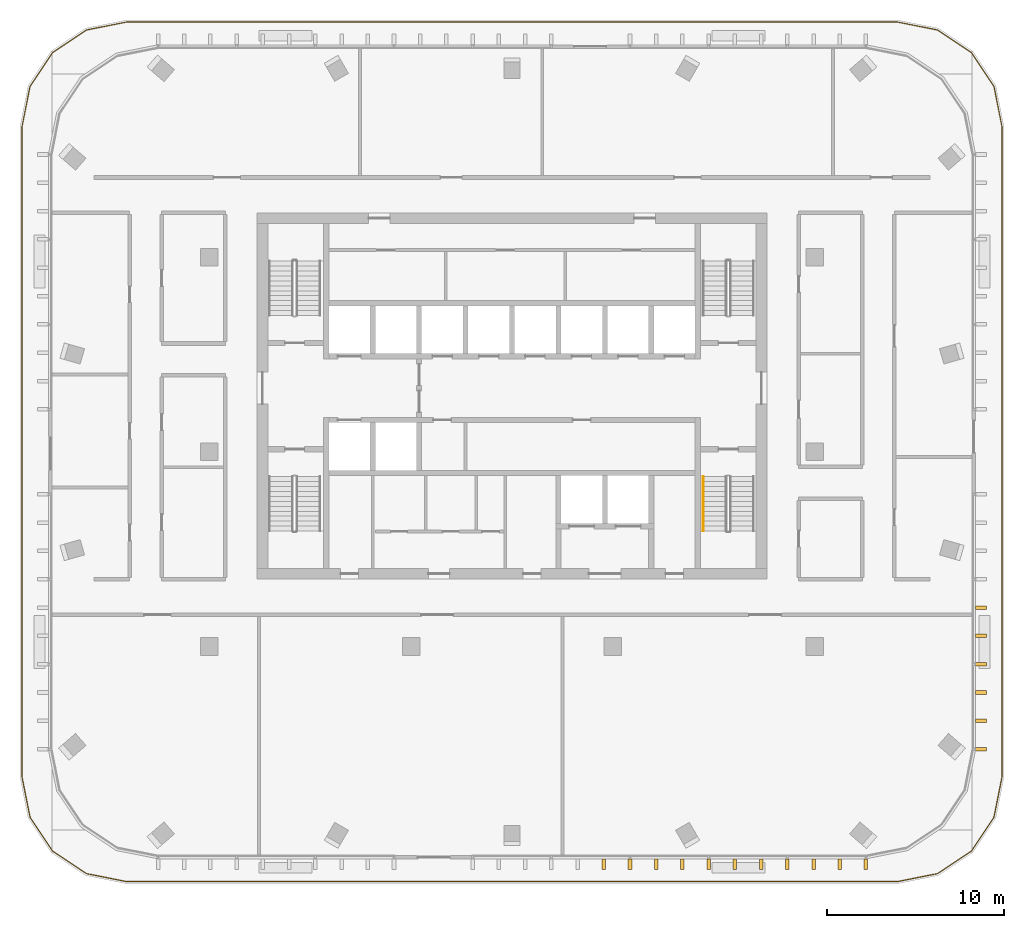
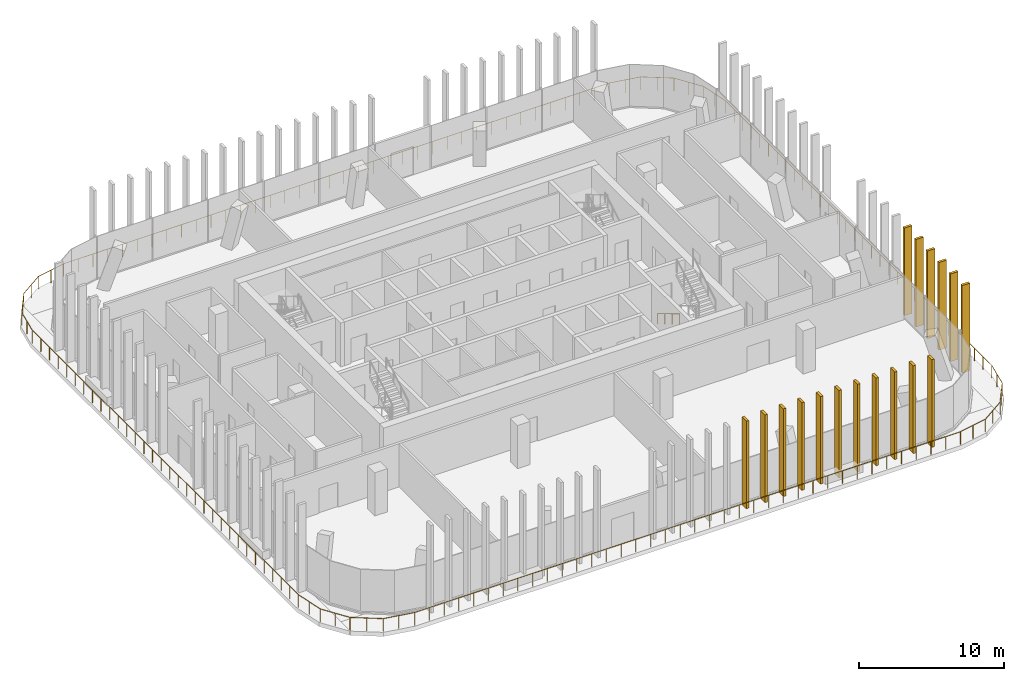
# One storey, part 13 of 15: 17 shading devices, 2 railings.
"""IFC4 building model written with IfcOpenShell, lengths in metres."""

from ifc_helpers import new_model, si_unit, direction, frame, origin, origin_2d, place, context, subcontext, project, spatial, rectangle, circle, extrude, material, type_object, element, save


model = new_model("IFC4")

# Units and contexts
model_context = context("Model", 3, precision=1e-05, world=origin(), true_north=direction((0.0, 1.0)))
body_context = subcontext(model_context, "Body", "Model", "MODEL_VIEW")
ifc_project = project(units=[si_unit("LENGTHUNIT", "METRE"), si_unit("AREAUNIT", "SQUARE_METRE"), si_unit("VOLUMEUNIT", "CUBIC_METRE"), si_unit("PLANEANGLEUNIT", "RADIAN"), si_unit("MASSUNIT", "GRAM", prefix="KILO")], contexts=[model_context])

# Site, building, storey
site_placement = place(None, origin())
site = spatial("IfcSite", under=ifc_project, at=site_placement, CompositionType="ELEMENT")
building_placement = place(site_placement, origin())
building = spatial("IfcBuilding", under=site, at=building_placement, Name="Mopane Tessera Tower", CompositionType="ELEMENT")
storey_placement = place(building_placement, frame((0.0, 0.0, 329.39990234375)))
storey = spatial("IfcBuildingStorey", under=building, at=storey_placement, Name="L72", CompositionType="ELEMENT", Elevation=329.39990234375)

# Shading devices
ifc_material_1 = material(Name="Glazed ceramic tile")
shading_device_type = type_object("IfcShadingDeviceType", Name="Ceramic tile fin 600 x 200 mm", PredefinedType="USERDEFINED", material=ifc_material_1)
for number, where, z_axis, x_axis, name in (
    (1, (5.185302734375, -23.300048828125, 0.000244140625), (0.0, 0.0, 1.0), (1.0, 0.0, 0.0), "e:fin:L72:S:5:2"),
    (2, (6.666748046875, -23.300048828125, 0.000244140625), (0.0, 0.0, 1.0), (1.0, 0.0, 0.0), "e:fin:L72:S:6:0"),
    (3, (8.148193359375, -23.300048828125, 0.000244140625), (0.0, 0.0, 1.0), (1.0, 0.0, 0.0), "e:fin:L72:S:6:1"),
    (4, (9.629638671875, -23.300048828125, 0.000244140625), (0.0, 0.0, 1.0), (1.0, 0.0, 0.0), "e:fin:L72:S:6:2"),
    (5, (11.111083984375, -23.300048828125, 0.000244140625), (0.0, 0.0, 1.0), (1.0, 0.0, 0.0), "e:fin:L72:S:7:0"),
    (6, (12.592529296875, -23.300048828125, 0.000244140625), (0.0, 0.0, 1.0), (1.0, 0.0, 0.0), "e:fin:L72:S:7:1"),
    (7, (14.073974609375, -23.300048828125, 0.000244140625), (0.0, 0.0, 1.0), (1.0, 0.0, 0.0), "e:fin:L72:S:7:2"),
    (8, (15.5556640625, -23.300048828125, 0.000244140625), (0.0, 0.0, 1.0), (1.0, 0.0, 0.0), "e:fin:L72:S:8:0"),
    (9, (17.037109375, -23.300048828125, 0.000244140625), (0.0, 0.0, 1.0), (1.0, 0.0, 0.0), "e:fin:L72:S:8:1"),
    (10, (18.5185546875, -23.300048828125, 0.000244140625), (0.0, 0.0, 1.0), (1.0, 0.0, 0.0), "e:fin:L72:S:8:2"),
    (11, (20.0, -23.300048828125, 0.000244140625), (0.0, 0.0, 1.0), (1.0, 0.0, 0.0), "e:fin:L72:S:8:3"),
    (12, (26.5, -16.800048828125, 0.000244140625), (0.0, 0.0, 1.0), (0.0, 1.0, 0.0), "e:fin:L72:E:0:0"),
    (13, (26.5, -15.199951171875, 0.000244140625), (0.0, 0.0, 1.0), (0.0, 1.0, 0.0), "e:fin:L72:E:0:1"),
    (14, (26.5, -13.60009765625, 0.000244140625), (0.0, 0.0, 1.0), (0.0, 1.0, 0.0), "e:fin:L72:E:0:2"),
    (15, (26.5, -12.0, 0.000244140625), (0.0, 0.0, 1.0), (0.0, 1.0, 0.0), "e:fin:L72:E:1:0"),
    (16, (26.5, -10.39990234375, 0.000244140625), (0.0, 0.0, 1.0), (0.0, 1.0, 0.0), "e:fin:L72:E:1:1"),
    (17, (26.5, -8.800048828125, 0.000244140625), (0.0, 0.0, 1.0), (0.0, 1.0, 0.0), "e:fin:L72:E:1:2"),
):
    element("IfcShadingDevice", number, at=place(storey_placement, frame(where, z_axis=z_axis, x_axis=x_axis)), inside=storey, type_object=shading_device_type, Name=name, ObjectType="FIN", PredefinedType="USERDEFINED", context=body_context, shape_type="SweptSolid", body=[
        extrude(rectangle(XDim=0.199951171875, YDim=0.60009765625, at=origin_2d()), origin(), (0.0, 0.0, 1.0), 7.39990234375),
    ])

# Railings
ifc_material_2 = material(Name="Powder-coated steel balustrade", Category="steel")
railing_type_1 = type_object("IfcRailingType", Name="Escape stair handrail 900 mm", PredefinedType="HANDRAIL", material=ifc_material_2)
railing_1_placement = place(storey_placement, frame((10.800048828125, -1.39990234375, 0.166748046875)))
element("IfcRailing", 18, at=railing_1_placement, inside=storey, type_object=railing_type_1, Name="L72 ST3 stair handrail 1", PredefinedType="HANDRAIL", context=body_context, shape_type="SweptSolid", body=[
    extrude(circle(Radius=0.02392578125, at=origin_2d()), frame((0.0, 0.0, 0.8759765625), z_axis=(0.0, -0.859308565015, 0.511457515432), x_axis=(1.0, 0.0, 0.0)), (0.0, 0.0, 1.0), 3.58447265625),
    extrude(circle(Radius=0.02099609375, at=origin_2d()), origin(), (0.0, 0.0, 1.0), 0.851806640625),
    extrude(circle(Radius=0.02099609375, at=origin_2d()), frame((0.0, -1.026611328125, 0.611083984375)), (0.0, 0.0, 1.0), 0.851806640625),
    extrude(circle(Radius=0.02099609375, at=origin_2d()), frame((0.0, -2.053466796875, 1.22216796875)), (0.0, 0.0, 1.0), 0.851806640625),
    extrude(circle(Radius=0.02099609375, at=origin_2d()), frame((0.0, -3.080078125, 1.833251953125)), (0.0, 0.0, 1.0), 0.851806640625),
])
ifc_material_3 = material(Name="Stainless steel S316", Category="steel")
railing_type_2 = type_object("IfcRailingType", Name="Terrace guard 1100", PredefinedType="GUARDRAIL", material=ifc_material_3)
railing_2_placement = place(storey_placement, frame((-21.800048828125, -24.280029296875, 0.0)))
element("IfcRailing", 19, at=railing_2_placement, inside=storey, type_object=railing_type_2, Name="e:sg:L72", PredefinedType="GUARDRAIL", context=body_context, shape_type="SweptSolid", body=[
    extrude(circle(Radius=0.02392578125, at=origin_2d()), frame((0.0, 0.0, 1.076171875), z_axis=(1.0, 0.0, 0.0), x_axis=(0.0, 1.0, 0.0)), (0.0, 0.0, 1.0), 43.60009765625),
    extrude(circle(Radius=0.02392578125, at=origin_2d()), frame((43.60009765625, 0.0, 1.076171875), z_axis=(0.980792920903, 0.195051906696, 0.0), x_axis=(-0.195051906696, 0.980792920903, 0.0)), (0.0, 0.0, 1.0), 2.294189453125),
    extrude(circle(Radius=0.02392578125, at=origin_2d()), frame((45.850341796875, 0.447509765625, 1.076171875), z_axis=(0.831444034045, 0.555608511679, 0.0), x_axis=(-0.555608511679, 0.831444034045, 0.0)), (0.0, 0.0, 1.0), 2.294189453125),
    extrude(circle(Radius=0.02392578125, at=origin_2d()), frame((47.7578125, 1.72216796875, 1.076171875), z_axis=(0.555559354465, 0.831476881017, 0.0), x_axis=(-0.831476881017, 0.555559354465, 0.0)), (0.0, 0.0, 1.0), 2.29443359375),
    extrude(circle(Radius=0.02392578125, at=origin_2d()), frame((49.032470703125, 3.6298828125, 1.076171875), z_axis=(0.195051906696, 0.980792920903, 0.0), x_axis=(-0.980792920903, 0.195051906696, 0.0)), (0.0, 0.0, 1.0), 2.294189453125),
    extrude(circle(Radius=0.02392578125, at=origin_2d()), frame((49.47998046875, 5.880126953125, 1.076171875), z_axis=(0.0, 1.0, 0.0), x_axis=(-1.0, 0.0, 0.0)), (0.0, 0.0, 1.0), 36.7998046875),
    extrude(circle(Radius=0.02392578125, at=origin_2d()), frame((49.47998046875, 42.679931640625, 1.076171875), z_axis=(-0.195051906696, 0.980792920903, 0.0), x_axis=(-0.980792920903, -0.195051906696, 0.0)), (0.0, 0.0, 1.0), 2.294189453125),
    extrude(circle(Radius=0.02392578125, at=origin_2d()), frame((49.032470703125, 44.93017578125, 1.076171875), z_axis=(-0.555559354465, 0.831476881017, 0.0), x_axis=(-0.831476881017, -0.555559354465, 0.0)), (0.0, 0.0, 1.0), 2.29443359375),
    extrude(circle(Radius=0.02392578125, at=origin_2d()), frame((47.7578125, 46.837890625, 1.076171875), z_axis=(-0.831444034045, 0.555608511679, 0.0), x_axis=(-0.555608511679, -0.831444034045, 0.0)), (0.0, 0.0, 1.0), 2.294189453125),
    extrude(circle(Radius=0.02392578125, at=origin_2d()), frame((45.850341796875, 48.112548828125, 1.076171875), z_axis=(-0.980792920903, 0.195051906696, 0.0), x_axis=(-0.195051906696, -0.980792920903, 0.0)), (0.0, 0.0, 1.0), 2.294189453125),
    extrude(circle(Radius=0.02392578125, at=origin_2d()), frame((43.60009765625, 48.56005859375, 1.076171875), z_axis=(-1.0, 0.0, 0.0), x_axis=(0.0, -1.0, 0.0)), (0.0, 0.0, 1.0), 43.60009765625),
    extrude(circle(Radius=0.02392578125, at=origin_2d()), frame((0.0, 48.56005859375, 1.076171875), z_axis=(-0.980792920903, -0.195051906696, 0.0), x_axis=(0.195051906696, -0.980792920903, 0.0)), (0.0, 0.0, 1.0), 2.294189453125),
    extrude(circle(Radius=0.02392578125, at=origin_2d()), frame((-2.250244140625, 48.112548828125, 1.076171875), z_axis=(-0.831444034045, -0.555608511679, 0.0), x_axis=(0.555608511679, -0.831444034045, 0.0)), (0.0, 0.0, 1.0), 2.294189453125),
    extrude(circle(Radius=0.02392578125, at=origin_2d()), frame((-4.15771484375, 46.837890625, 1.076171875), z_axis=(-0.555559354465, -0.831476881017, 0.0), x_axis=(0.831476881017, -0.555559354465, 0.0)), (0.0, 0.0, 1.0), 2.29443359375),
    extrude(circle(Radius=0.02392578125, at=origin_2d()), frame((-5.432373046875, 44.93017578125, 1.076171875), z_axis=(-0.195051906696, -0.980792920903, 0.0), x_axis=(0.980792920903, -0.195051906696, 0.0)), (0.0, 0.0, 1.0), 2.294189453125),
    extrude(circle(Radius=0.02392578125, at=origin_2d()), frame((-5.8798828125, 42.679931640625, 1.076171875), z_axis=(0.0, -1.0, 0.0), x_axis=(1.0, 0.0, 0.0)), (0.0, 0.0, 1.0), 36.7998046875),
    extrude(circle(Radius=0.02392578125, at=origin_2d()), frame((-5.8798828125, 5.880126953125, 1.076171875), z_axis=(0.195051906696, -0.980792920903, 0.0), x_axis=(0.980792920903, 0.195051906696, 0.0)), (0.0, 0.0, 1.0), 2.294189453125),
    extrude(circle(Radius=0.02392578125, at=origin_2d()), frame((-5.432373046875, 3.6298828125, 1.076171875), z_axis=(0.555559354465, -0.831476881017, 0.0), x_axis=(0.831476881017, 0.555559354465, 0.0)), (0.0, 0.0, 1.0), 2.29443359375),
    extrude(circle(Radius=0.02392578125, at=origin_2d()), frame((-4.15771484375, 1.72216796875, 1.076171875), z_axis=(0.831444034045, -0.555608511679, 0.0), x_axis=(0.555608511679, 0.831444034045, 0.0)), (0.0, 0.0, 1.0), 2.294189453125),
    extrude(circle(Radius=0.02392578125, at=origin_2d()), frame((-2.250244140625, 0.447509765625, 1.076171875), z_axis=(0.980792920903, -0.195051906696, 0.0), x_axis=(0.195051906696, 0.980792920903, 0.0)), (0.0, 0.0, 1.0), 2.294189453125),
    extrude(circle(Radius=0.02099609375, at=origin_2d()), origin(), (0.0, 0.0, 1.0), 1.052001953125),
    extrude(circle(Radius=0.02099609375, at=origin_2d()), frame((1.178466796875, 0.0, 0.0)), (0.0, 0.0, 1.0), 1.052001953125),
    extrude(circle(Radius=0.02099609375, at=origin_2d()), frame((2.356689453125, 0.0, 0.0)), (0.0, 0.0, 1.0), 1.052001953125),
    extrude(circle(Radius=0.02099609375, at=origin_2d()), frame((3.53515625, 0.0, 0.0)), (0.0, 0.0, 1.0), 1.052001953125),
    extrude(circle(Radius=0.02099609375, at=origin_2d()), frame((4.713623046875, 0.0, 0.0)), (0.0, 0.0, 1.0), 1.052001953125),
    extrude(circle(Radius=0.02099609375, at=origin_2d()), frame((5.891845703125, 0.0, 0.0)), (0.0, 0.0, 1.0), 1.052001953125),
    extrude(circle(Radius=0.02099609375, at=origin_2d()), frame((7.0703125, 0.0, 0.0)), (0.0, 0.0, 1.0), 1.052001953125),
    extrude(circle(Radius=0.02099609375, at=origin_2d()), frame((8.248779296875, 0.0, 0.0)), (0.0, 0.0, 1.0), 1.052001953125),
    extrude(circle(Radius=0.02099609375, at=origin_2d()), frame((9.427001953125, 0.0, 0.0)), (0.0, 0.0, 1.0), 1.052001953125),
    extrude(circle(Radius=0.02099609375, at=origin_2d()), frame((10.60546875, 0.0, 0.0)), (0.0, 0.0, 1.0), 1.052001953125),
    extrude(circle(Radius=0.02099609375, at=origin_2d()), frame((11.78369140625, 0.0, 0.0)), (0.0, 0.0, 1.0), 1.052001953125),
    extrude(circle(Radius=0.02099609375, at=origin_2d()), frame((12.962158203125, 0.0, 0.0)), (0.0, 0.0, 1.0), 1.052001953125),
    extrude(circle(Radius=0.02099609375, at=origin_2d()), frame((14.140625, 0.0, 0.0)), (0.0, 0.0, 1.0), 1.052001953125),
    extrude(circle(Radius=0.02099609375, at=origin_2d()), frame((15.31884765625, 0.0, 0.0)), (0.0, 0.0, 1.0), 1.052001953125),
    extrude(circle(Radius=0.02099609375, at=origin_2d()), frame((16.497314453125, 0.0, 0.0)), (0.0, 0.0, 1.0), 1.052001953125),
    extrude(circle(Radius=0.02099609375, at=origin_2d()), frame((17.67578125, 0.0, 0.0)), (0.0, 0.0, 1.0), 1.052001953125),
    extrude(circle(Radius=0.02099609375, at=origin_2d()), frame((18.85400390625, 0.0, 0.0)), (0.0, 0.0, 1.0), 1.052001953125),
    extrude(circle(Radius=0.02099609375, at=origin_2d()), frame((20.032470703125, 0.0, 0.0)), (0.0, 0.0, 1.0), 1.052001953125),
    extrude(circle(Radius=0.02099609375, at=origin_2d()), frame((21.2109375, 0.0, 0.0)), (0.0, 0.0, 1.0), 1.052001953125),
    extrude(circle(Radius=0.02099609375, at=origin_2d()), frame((22.38916015625, 0.0, 0.0)), (0.0, 0.0, 1.0), 1.052001953125),
    extrude(circle(Radius=0.02099609375, at=origin_2d()), frame((23.567626953125, 0.0, 0.0)), (0.0, 0.0, 1.0), 1.052001953125),
    extrude(circle(Radius=0.02099609375, at=origin_2d()), frame((24.74609375, 0.0, 0.0)), (0.0, 0.0, 1.0), 1.052001953125),
    extrude(circle(Radius=0.02099609375, at=origin_2d()), frame((25.92431640625, 0.0, 0.0)), (0.0, 0.0, 1.0), 1.052001953125),
    extrude(circle(Radius=0.02099609375, at=origin_2d()), frame((27.102783203125, 0.0, 0.0)), (0.0, 0.0, 1.0), 1.052001953125),
    extrude(circle(Radius=0.02099609375, at=origin_2d()), frame((28.28125, 0.0, 0.0)), (0.0, 0.0, 1.0), 1.052001953125),
    extrude(circle(Radius=0.02099609375, at=origin_2d()), frame((29.45947265625, 0.0, 0.0)), (0.0, 0.0, 1.0), 1.052001953125),
    extrude(circle(Radius=0.02099609375, at=origin_2d()), frame((30.637939453125, 0.0, 0.0)), (0.0, 0.0, 1.0), 1.052001953125),
    extrude(circle(Radius=0.02099609375, at=origin_2d()), frame((31.81640625, 0.0, 0.0)), (0.0, 0.0, 1.0), 1.052001953125),
    extrude(circle(Radius=0.02099609375, at=origin_2d()), frame((32.99462890625, 0.0, 0.0)), (0.0, 0.0, 1.0), 1.052001953125),
    extrude(circle(Radius=0.02099609375, at=origin_2d()), frame((34.173095703125, 0.0, 0.0)), (0.0, 0.0, 1.0), 1.052001953125),
    extrude(circle(Radius=0.02099609375, at=origin_2d()), frame((35.351318359375, 0.0, 0.0)), (0.0, 0.0, 1.0), 1.052001953125),
    extrude(circle(Radius=0.02099609375, at=origin_2d()), frame((36.52978515625, 0.0, 0.0)), (0.0, 0.0, 1.0), 1.052001953125),
    extrude(circle(Radius=0.02099609375, at=origin_2d()), frame((37.708251953125, 0.0, 0.0)), (0.0, 0.0, 1.0), 1.052001953125),
    extrude(circle(Radius=0.02099609375, at=origin_2d()), frame((38.886474609375, 0.0, 0.0)), (0.0, 0.0, 1.0), 1.052001953125),
    extrude(circle(Radius=0.02099609375, at=origin_2d()), frame((40.06494140625, 0.0, 0.0)), (0.0, 0.0, 1.0), 1.052001953125),
    extrude(circle(Radius=0.02099609375, at=origin_2d()), frame((41.243408203125, 0.0, 0.0)), (0.0, 0.0, 1.0), 1.052001953125),
    extrude(circle(Radius=0.02099609375, at=origin_2d()), frame((42.421630859375, 0.0, 0.0)), (0.0, 0.0, 1.0), 1.052001953125),
    extrude(circle(Radius=0.02099609375, at=origin_2d()), frame((43.60009765625, 0.0, 0.0)), (0.0, 0.0, 1.0), 1.052001953125),
    extrude(circle(Radius=0.02099609375, at=origin_2d()), frame((44.72509765625, 0.2236328125, 0.0)), (0.0, 0.0, 1.0), 1.052001953125),
    extrude(circle(Radius=0.02099609375, at=origin_2d()), frame((45.850341796875, 0.447509765625, 0.0)), (0.0, 0.0, 1.0), 1.052001953125),
    extrude(circle(Radius=0.02099609375, at=origin_2d()), frame((46.80419921875, 1.0849609375, 0.0)), (0.0, 0.0, 1.0), 1.052001953125),
    extrude(circle(Radius=0.02099609375, at=origin_2d()), frame((47.7578125, 1.72216796875, 0.0)), (0.0, 0.0, 1.0), 1.052001953125),
    extrude(circle(Radius=0.02099609375, at=origin_2d()), frame((48.39501953125, 2.676025390625, 0.0)), (0.0, 0.0, 1.0), 1.052001953125),
    extrude(circle(Radius=0.02099609375, at=origin_2d()), frame((49.032470703125, 3.6298828125, 0.0)), (0.0, 0.0, 1.0), 1.052001953125),
    extrude(circle(Radius=0.02099609375, at=origin_2d()), frame((49.25634765625, 4.7548828125, 0.0)), (0.0, 0.0, 1.0), 1.052001953125),
    extrude(circle(Radius=0.02099609375, at=origin_2d()), frame((49.47998046875, 5.880126953125, 0.0)), (0.0, 0.0, 1.0), 1.052001953125),
    extrude(circle(Radius=0.02099609375, at=origin_2d()), frame((49.47998046875, 7.067138671875, 0.0)), (0.0, 0.0, 1.0), 1.052001953125),
    extrude(circle(Radius=0.02099609375, at=origin_2d()), frame((49.47998046875, 8.25439453125, 0.0)), (0.0, 0.0, 1.0), 1.052001953125),
    extrude(circle(Radius=0.02099609375, at=origin_2d()), frame((49.47998046875, 9.44140625, 0.0)), (0.0, 0.0, 1.0), 1.052001953125),
    extrude(circle(Radius=0.02099609375, at=origin_2d()), frame((49.47998046875, 10.62841796875, 0.0)), (0.0, 0.0, 1.0), 1.052001953125),
    extrude(circle(Radius=0.02099609375, at=origin_2d()), frame((49.47998046875, 11.815673828125, 0.0)), (0.0, 0.0, 1.0), 1.052001953125),
    extrude(circle(Radius=0.02099609375, at=origin_2d()), frame((49.47998046875, 13.002685546875, 0.0)), (0.0, 0.0, 1.0), 1.052001953125),
    extrude(circle(Radius=0.02099609375, at=origin_2d()), frame((49.47998046875, 14.189697265625, 0.0)), (0.0, 0.0, 1.0), 1.052001953125),
    extrude(circle(Radius=0.02099609375, at=origin_2d()), frame((49.47998046875, 15.376953125, 0.0)), (0.0, 0.0, 1.0), 1.052001953125),
    extrude(circle(Radius=0.02099609375, at=origin_2d()), frame((49.47998046875, 16.56396484375, 0.0)), (0.0, 0.0, 1.0), 1.052001953125),
    extrude(circle(Radius=0.02099609375, at=origin_2d()), frame((49.47998046875, 17.7509765625, 0.0)), (0.0, 0.0, 1.0), 1.052001953125),
    extrude(circle(Radius=0.02099609375, at=origin_2d()), frame((49.47998046875, 18.938232421875, 0.0)), (0.0, 0.0, 1.0), 1.052001953125),
    extrude(circle(Radius=0.02099609375, at=origin_2d()), frame((49.47998046875, 20.125244140625, 0.0)), (0.0, 0.0, 1.0), 1.052001953125),
    extrude(circle(Radius=0.02099609375, at=origin_2d()), frame((49.47998046875, 21.312255859375, 0.0)), (0.0, 0.0, 1.0), 1.052001953125),
    extrude(circle(Radius=0.02099609375, at=origin_2d()), frame((49.47998046875, 22.49951171875, 0.0)), (0.0, 0.0, 1.0), 1.052001953125),
    extrude(circle(Radius=0.02099609375, at=origin_2d()), frame((49.47998046875, 23.6865234375, 0.0)), (0.0, 0.0, 1.0), 1.052001953125),
    extrude(circle(Radius=0.02099609375, at=origin_2d()), frame((49.47998046875, 24.87353515625, 0.0)), (0.0, 0.0, 1.0), 1.052001953125),
    extrude(circle(Radius=0.02099609375, at=origin_2d()), frame((49.47998046875, 26.060546875, 0.0)), (0.0, 0.0, 1.0), 1.052001953125),
    extrude(circle(Radius=0.02099609375, at=origin_2d()), frame((49.47998046875, 27.247802734375, 0.0)), (0.0, 0.0, 1.0), 1.052001953125),
    extrude(circle(Radius=0.02099609375, at=origin_2d()), frame((49.47998046875, 28.434814453125, 0.0)), (0.0, 0.0, 1.0), 1.052001953125),
    extrude(circle(Radius=0.02099609375, at=origin_2d()), frame((49.47998046875, 29.621826171875, 0.0)), (0.0, 0.0, 1.0), 1.052001953125),
    extrude(circle(Radius=0.02099609375, at=origin_2d()), frame((49.47998046875, 30.80908203125, 0.0)), (0.0, 0.0, 1.0), 1.052001953125),
    extrude(circle(Radius=0.02099609375, at=origin_2d()), frame((49.47998046875, 31.99609375, 0.0)), (0.0, 0.0, 1.0), 1.052001953125),
    extrude(circle(Radius=0.02099609375, at=origin_2d()), frame((49.47998046875, 33.18310546875, 0.0)), (0.0, 0.0, 1.0), 1.052001953125),
    extrude(circle(Radius=0.02099609375, at=origin_2d()), frame((49.47998046875, 34.370361328125, 0.0)), (0.0, 0.0, 1.0), 1.052001953125),
    extrude(circle(Radius=0.02099609375, at=origin_2d()), frame((49.47998046875, 35.557373046875, 0.0)), (0.0, 0.0, 1.0), 1.052001953125),
    extrude(circle(Radius=0.02099609375, at=origin_2d()), frame((49.47998046875, 36.744384765625, 0.0)), (0.0, 0.0, 1.0), 1.052001953125),
    extrude(circle(Radius=0.02099609375, at=origin_2d()), frame((49.47998046875, 37.931640625, 0.0)), (0.0, 0.0, 1.0), 1.052001953125),
    extrude(circle(Radius=0.02099609375, at=origin_2d()), frame((49.47998046875, 39.11865234375, 0.0)), (0.0, 0.0, 1.0), 1.052001953125),
    extrude(circle(Radius=0.02099609375, at=origin_2d()), frame((49.47998046875, 40.3056640625, 0.0)), (0.0, 0.0, 1.0), 1.052001953125),
    extrude(circle(Radius=0.02099609375, at=origin_2d()), frame((49.47998046875, 41.492919921875, 0.0)), (0.0, 0.0, 1.0), 1.052001953125),
    extrude(circle(Radius=0.02099609375, at=origin_2d()), frame((49.47998046875, 42.679931640625, 0.0)), (0.0, 0.0, 1.0), 1.052001953125),
    extrude(circle(Radius=0.02099609375, at=origin_2d()), frame((49.25634765625, 43.80517578125, 0.0)), (0.0, 0.0, 1.0), 1.052001953125),
    extrude(circle(Radius=0.02099609375, at=origin_2d()), frame((49.032470703125, 44.93017578125, 0.0)), (0.0, 0.0, 1.0), 1.052001953125),
    extrude(circle(Radius=0.02099609375, at=origin_2d()), frame((48.39501953125, 45.884033203125, 0.0)), (0.0, 0.0, 1.0), 1.052001953125),
    extrude(circle(Radius=0.02099609375, at=origin_2d()), frame((47.7578125, 46.837890625, 0.0)), (0.0, 0.0, 1.0), 1.052001953125),
    extrude(circle(Radius=0.02099609375, at=origin_2d()), frame((46.80419921875, 47.47509765625, 0.0)), (0.0, 0.0, 1.0), 1.052001953125),
    extrude(circle(Radius=0.02099609375, at=origin_2d()), frame((45.850341796875, 48.112548828125, 0.0)), (0.0, 0.0, 1.0), 1.052001953125),
    extrude(circle(Radius=0.02099609375, at=origin_2d()), frame((44.72509765625, 48.33642578125, 0.0)), (0.0, 0.0, 1.0), 1.052001953125),
    extrude(circle(Radius=0.02099609375, at=origin_2d()), frame((43.60009765625, 48.56005859375, 0.0)), (0.0, 0.0, 1.0), 1.052001953125),
    extrude(circle(Radius=0.02099609375, at=origin_2d()), frame((42.421630859375, 48.56005859375, 0.0)), (0.0, 0.0, 1.0), 1.052001953125),
    extrude(circle(Radius=0.02099609375, at=origin_2d()), frame((41.243408203125, 48.56005859375, 0.0)), (0.0, 0.0, 1.0), 1.052001953125),
    extrude(circle(Radius=0.02099609375, at=origin_2d()), frame((40.06494140625, 48.56005859375, 0.0)), (0.0, 0.0, 1.0), 1.052001953125),
    extrude(circle(Radius=0.02099609375, at=origin_2d()), frame((38.886474609375, 48.56005859375, 0.0)), (0.0, 0.0, 1.0), 1.052001953125),
    extrude(circle(Radius=0.02099609375, at=origin_2d()), frame((37.708251953125, 48.56005859375, 0.0)), (0.0, 0.0, 1.0), 1.052001953125),
    extrude(circle(Radius=0.02099609375, at=origin_2d()), frame((36.52978515625, 48.56005859375, 0.0)), (0.0, 0.0, 1.0), 1.052001953125),
    extrude(circle(Radius=0.02099609375, at=origin_2d()), frame((35.351318359375, 48.56005859375, 0.0)), (0.0, 0.0, 1.0), 1.052001953125),
    extrude(circle(Radius=0.02099609375, at=origin_2d()), frame((34.173095703125, 48.56005859375, 0.0)), (0.0, 0.0, 1.0), 1.052001953125),
    extrude(circle(Radius=0.02099609375, at=origin_2d()), frame((32.99462890625, 48.56005859375, 0.0)), (0.0, 0.0, 1.0), 1.052001953125),
    extrude(circle(Radius=0.02099609375, at=origin_2d()), frame((31.81640625, 48.56005859375, 0.0)), (0.0, 0.0, 1.0), 1.052001953125),
    extrude(circle(Radius=0.02099609375, at=origin_2d()), frame((30.637939453125, 48.56005859375, 0.0)), (0.0, 0.0, 1.0), 1.052001953125),
    extrude(circle(Radius=0.02099609375, at=origin_2d()), frame((29.45947265625, 48.56005859375, 0.0)), (0.0, 0.0, 1.0), 1.052001953125),
    extrude(circle(Radius=0.02099609375, at=origin_2d()), frame((28.28125, 48.56005859375, 0.0)), (0.0, 0.0, 1.0), 1.052001953125),
    extrude(circle(Radius=0.02099609375, at=origin_2d()), frame((27.102783203125, 48.56005859375, 0.0)), (0.0, 0.0, 1.0), 1.052001953125),
    extrude(circle(Radius=0.02099609375, at=origin_2d()), frame((25.92431640625, 48.56005859375, 0.0)), (0.0, 0.0, 1.0), 1.052001953125),
    extrude(circle(Radius=0.02099609375, at=origin_2d()), frame((24.74609375, 48.56005859375, 0.0)), (0.0, 0.0, 1.0), 1.052001953125),
    extrude(circle(Radius=0.02099609375, at=origin_2d()), frame((23.567626953125, 48.56005859375, 0.0)), (0.0, 0.0, 1.0), 1.052001953125),
    extrude(circle(Radius=0.02099609375, at=origin_2d()), frame((22.38916015625, 48.56005859375, 0.0)), (0.0, 0.0, 1.0), 1.052001953125),
    extrude(circle(Radius=0.02099609375, at=origin_2d()), frame((21.2109375, 48.56005859375, 0.0)), (0.0, 0.0, 1.0), 1.052001953125),
    extrude(circle(Radius=0.02099609375, at=origin_2d()), frame((20.032470703125, 48.56005859375, 0.0)), (0.0, 0.0, 1.0), 1.052001953125),
    extrude(circle(Radius=0.02099609375, at=origin_2d()), frame((18.85400390625, 48.56005859375, 0.0)), (0.0, 0.0, 1.0), 1.052001953125),
    extrude(circle(Radius=0.02099609375, at=origin_2d()), frame((17.67578125, 48.56005859375, 0.0)), (0.0, 0.0, 1.0), 1.052001953125),
    extrude(circle(Radius=0.02099609375, at=origin_2d()), frame((16.497314453125, 48.56005859375, 0.0)), (0.0, 0.0, 1.0), 1.052001953125),
    extrude(circle(Radius=0.02099609375, at=origin_2d()), frame((15.31884765625, 48.56005859375, 0.0)), (0.0, 0.0, 1.0), 1.052001953125),
    extrude(circle(Radius=0.02099609375, at=origin_2d()), frame((14.140625, 48.56005859375, 0.0)), (0.0, 0.0, 1.0), 1.052001953125),
    extrude(circle(Radius=0.02099609375, at=origin_2d()), frame((12.962158203125, 48.56005859375, 0.0)), (0.0, 0.0, 1.0), 1.052001953125),
    extrude(circle(Radius=0.02099609375, at=origin_2d()), frame((11.78369140625, 48.56005859375, 0.0)), (0.0, 0.0, 1.0), 1.052001953125),
    extrude(circle(Radius=0.02099609375, at=origin_2d()), frame((10.60546875, 48.56005859375, 0.0)), (0.0, 0.0, 1.0), 1.052001953125),
    extrude(circle(Radius=0.02099609375, at=origin_2d()), frame((9.427001953125, 48.56005859375, 0.0)), (0.0, 0.0, 1.0), 1.052001953125),
    extrude(circle(Radius=0.02099609375, at=origin_2d()), frame((8.248779296875, 48.56005859375, 0.0)), (0.0, 0.0, 1.0), 1.052001953125),
    extrude(circle(Radius=0.02099609375, at=origin_2d()), frame((7.0703125, 48.56005859375, 0.0)), (0.0, 0.0, 1.0), 1.052001953125),
    extrude(circle(Radius=0.02099609375, at=origin_2d()), frame((5.891845703125, 48.56005859375, 0.0)), (0.0, 0.0, 1.0), 1.052001953125),
    extrude(circle(Radius=0.02099609375, at=origin_2d()), frame((4.713623046875, 48.56005859375, 0.0)), (0.0, 0.0, 1.0), 1.052001953125),
    extrude(circle(Radius=0.02099609375, at=origin_2d()), frame((3.53515625, 48.56005859375, 0.0)), (0.0, 0.0, 1.0), 1.052001953125),
    extrude(circle(Radius=0.02099609375, at=origin_2d()), frame((2.356689453125, 48.56005859375, 0.0)), (0.0, 0.0, 1.0), 1.052001953125),
    extrude(circle(Radius=0.02099609375, at=origin_2d()), frame((1.178466796875, 48.56005859375, 0.0)), (0.0, 0.0, 1.0), 1.052001953125),
    extrude(circle(Radius=0.02099609375, at=origin_2d()), frame((0.0, 48.56005859375, 0.0)), (0.0, 0.0, 1.0), 1.052001953125),
    extrude(circle(Radius=0.02099609375, at=origin_2d()), frame((-1.125, 48.33642578125, 0.0)), (0.0, 0.0, 1.0), 1.052001953125),
    extrude(circle(Radius=0.02099609375, at=origin_2d()), frame((-2.250244140625, 48.112548828125, 0.0)), (0.0, 0.0, 1.0), 1.052001953125),
    extrude(circle(Radius=0.02099609375, at=origin_2d()), frame((-3.2041015625, 47.47509765625, 0.0)), (0.0, 0.0, 1.0), 1.052001953125),
    extrude(circle(Radius=0.02099609375, at=origin_2d()), frame((-4.15771484375, 46.837890625, 0.0)), (0.0, 0.0, 1.0), 1.052001953125),
    extrude(circle(Radius=0.02099609375, at=origin_2d()), frame((-4.794921875, 45.884033203125, 0.0)), (0.0, 0.0, 1.0), 1.052001953125),
    extrude(circle(Radius=0.02099609375, at=origin_2d()), frame((-5.432373046875, 44.93017578125, 0.0)), (0.0, 0.0, 1.0), 1.052001953125),
    extrude(circle(Radius=0.02099609375, at=origin_2d()), frame((-5.65625, 43.80517578125, 0.0)), (0.0, 0.0, 1.0), 1.052001953125),
    extrude(circle(Radius=0.02099609375, at=origin_2d()), frame((-5.8798828125, 42.679931640625, 0.0)), (0.0, 0.0, 1.0), 1.052001953125),
    extrude(circle(Radius=0.02099609375, at=origin_2d()), frame((-5.8798828125, 41.492919921875, 0.0)), (0.0, 0.0, 1.0), 1.052001953125),
    extrude(circle(Radius=0.02099609375, at=origin_2d()), frame((-5.8798828125, 40.3056640625, 0.0)), (0.0, 0.0, 1.0), 1.052001953125),
    extrude(circle(Radius=0.02099609375, at=origin_2d()), frame((-5.8798828125, 39.11865234375, 0.0)), (0.0, 0.0, 1.0), 1.052001953125),
    extrude(circle(Radius=0.02099609375, at=origin_2d()), frame((-5.8798828125, 37.931640625, 0.0)), (0.0, 0.0, 1.0), 1.052001953125),
    extrude(circle(Radius=0.02099609375, at=origin_2d()), frame((-5.8798828125, 36.744384765625, 0.0)), (0.0, 0.0, 1.0), 1.052001953125),
    extrude(circle(Radius=0.02099609375, at=origin_2d()), frame((-5.8798828125, 35.557373046875, 0.0)), (0.0, 0.0, 1.0), 1.052001953125),
    extrude(circle(Radius=0.02099609375, at=origin_2d()), frame((-5.8798828125, 34.370361328125, 0.0)), (0.0, 0.0, 1.0), 1.052001953125),
    extrude(circle(Radius=0.02099609375, at=origin_2d()), frame((-5.8798828125, 33.18310546875, 0.0)), (0.0, 0.0, 1.0), 1.052001953125),
    extrude(circle(Radius=0.02099609375, at=origin_2d()), frame((-5.8798828125, 31.99609375, 0.0)), (0.0, 0.0, 1.0), 1.052001953125),
    extrude(circle(Radius=0.02099609375, at=origin_2d()), frame((-5.8798828125, 30.80908203125, 0.0)), (0.0, 0.0, 1.0), 1.052001953125),
    extrude(circle(Radius=0.02099609375, at=origin_2d()), frame((-5.8798828125, 29.621826171875, 0.0)), (0.0, 0.0, 1.0), 1.052001953125),
    extrude(circle(Radius=0.02099609375, at=origin_2d()), frame((-5.8798828125, 28.434814453125, 0.0)), (0.0, 0.0, 1.0), 1.052001953125),
    extrude(circle(Radius=0.02099609375, at=origin_2d()), frame((-5.8798828125, 27.247802734375, 0.0)), (0.0, 0.0, 1.0), 1.052001953125),
    extrude(circle(Radius=0.02099609375, at=origin_2d()), frame((-5.8798828125, 26.060546875, 0.0)), (0.0, 0.0, 1.0), 1.052001953125),
    extrude(circle(Radius=0.02099609375, at=origin_2d()), frame((-5.8798828125, 24.87353515625, 0.0)), (0.0, 0.0, 1.0), 1.052001953125),
    extrude(circle(Radius=0.02099609375, at=origin_2d()), frame((-5.8798828125, 23.6865234375, 0.0)), (0.0, 0.0, 1.0), 1.052001953125),
    extrude(circle(Radius=0.02099609375, at=origin_2d()), frame((-5.8798828125, 22.49951171875, 0.0)), (0.0, 0.0, 1.0), 1.052001953125),
    extrude(circle(Radius=0.02099609375, at=origin_2d()), frame((-5.8798828125, 21.312255859375, 0.0)), (0.0, 0.0, 1.0), 1.052001953125),
    extrude(circle(Radius=0.02099609375, at=origin_2d()), frame((-5.8798828125, 20.125244140625, 0.0)), (0.0, 0.0, 1.0), 1.052001953125),
    extrude(circle(Radius=0.02099609375, at=origin_2d()), frame((-5.8798828125, 18.938232421875, 0.0)), (0.0, 0.0, 1.0), 1.052001953125),
    extrude(circle(Radius=0.02099609375, at=origin_2d()), frame((-5.8798828125, 17.7509765625, 0.0)), (0.0, 0.0, 1.0), 1.052001953125),
    extrude(circle(Radius=0.02099609375, at=origin_2d()), frame((-5.8798828125, 16.56396484375, 0.0)), (0.0, 0.0, 1.0), 1.052001953125),
    extrude(circle(Radius=0.02099609375, at=origin_2d()), frame((-5.8798828125, 15.376953125, 0.0)), (0.0, 0.0, 1.0), 1.052001953125),
    extrude(circle(Radius=0.02099609375, at=origin_2d()), frame((-5.8798828125, 14.189697265625, 0.0)), (0.0, 0.0, 1.0), 1.052001953125),
    extrude(circle(Radius=0.02099609375, at=origin_2d()), frame((-5.8798828125, 13.002685546875, 0.0)), (0.0, 0.0, 1.0), 1.052001953125),
    extrude(circle(Radius=0.02099609375, at=origin_2d()), frame((-5.8798828125, 11.815673828125, 0.0)), (0.0, 0.0, 1.0), 1.052001953125),
    extrude(circle(Radius=0.02099609375, at=origin_2d()), frame((-5.8798828125, 10.62841796875, 0.0)), (0.0, 0.0, 1.0), 1.052001953125),
    extrude(circle(Radius=0.02099609375, at=origin_2d()), frame((-5.8798828125, 9.44140625, 0.0)), (0.0, 0.0, 1.0), 1.052001953125),
    extrude(circle(Radius=0.02099609375, at=origin_2d()), frame((-5.8798828125, 8.25439453125, 0.0)), (0.0, 0.0, 1.0), 1.052001953125),
    extrude(circle(Radius=0.02099609375, at=origin_2d()), frame((-5.8798828125, 7.067138671875, 0.0)), (0.0, 0.0, 1.0), 1.052001953125),
    extrude(circle(Radius=0.02099609375, at=origin_2d()), frame((-5.8798828125, 5.880126953125, 0.0)), (0.0, 0.0, 1.0), 1.052001953125),
    extrude(circle(Radius=0.02099609375, at=origin_2d()), frame((-5.65625, 4.7548828125, 0.0)), (0.0, 0.0, 1.0), 1.052001953125),
    extrude(circle(Radius=0.02099609375, at=origin_2d()), frame((-5.432373046875, 3.6298828125, 0.0)), (0.0, 0.0, 1.0), 1.052001953125),
    extrude(circle(Radius=0.02099609375, at=origin_2d()), frame((-4.794921875, 2.676025390625, 0.0)), (0.0, 0.0, 1.0), 1.052001953125),
    extrude(circle(Radius=0.02099609375, at=origin_2d()), frame((-4.15771484375, 1.72216796875, 0.0)), (0.0, 0.0, 1.0), 1.052001953125),
    extrude(circle(Radius=0.02099609375, at=origin_2d()), frame((-3.2041015625, 1.0849609375, 0.0)), (0.0, 0.0, 1.0), 1.052001953125),
    extrude(circle(Radius=0.02099609375, at=origin_2d()), frame((-2.250244140625, 0.447509765625, 0.0)), (0.0, 0.0, 1.0), 1.052001953125),
    extrude(circle(Radius=0.02099609375, at=origin_2d()), frame((-1.125, 0.2236328125, 0.0)), (0.0, 0.0, 1.0), 1.052001953125),
])

save(model, "model.ifc")
